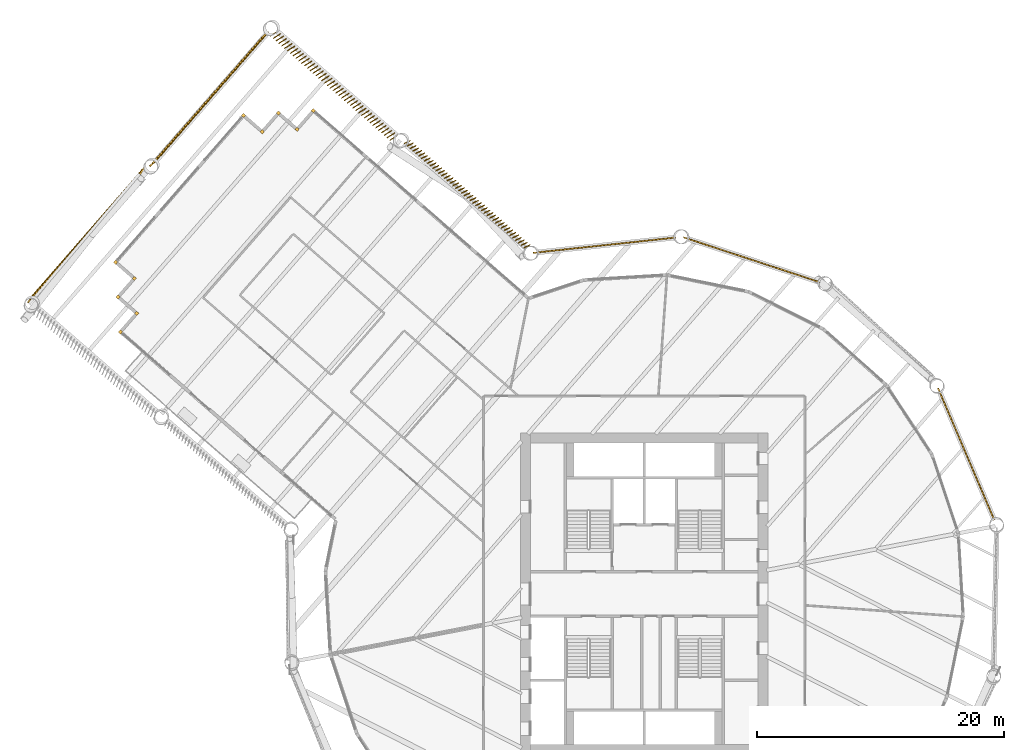
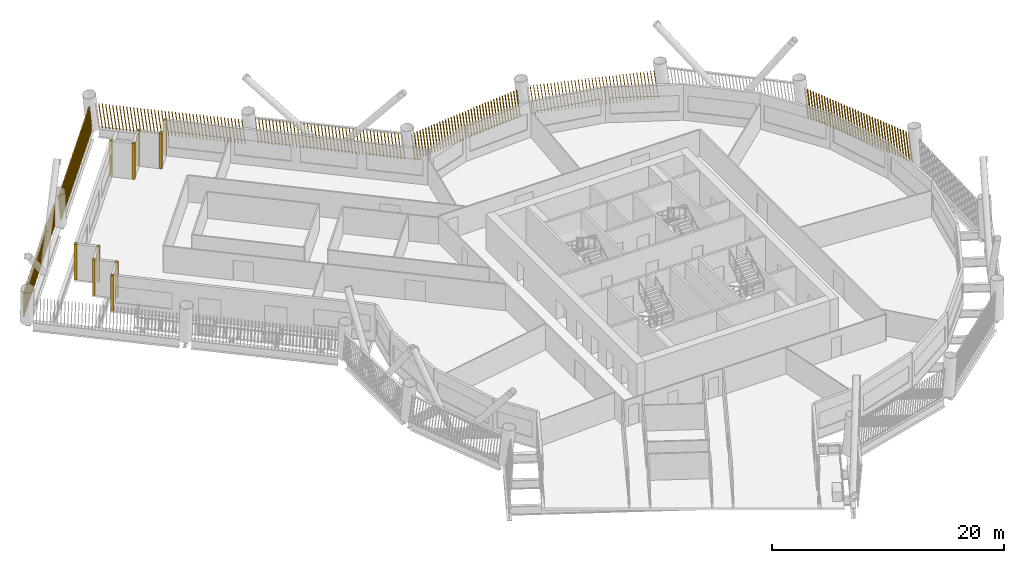
# One storey, part 19 of 21: 17 shading devices.
"""IFC4 building model written with IfcOpenShell, lengths in metres."""

from ifc_helpers import new_model, si_unit, direction, frame, frame_2d, origin, origin_2d, place, context, subcontext, project, spatial, rectangle, composite_profile, extrude, material, type_object, element, save


model = new_model("IFC4")

# Units and contexts
model_context = context("Model", 3, precision=1e-05, world=origin(), true_north=direction((0.0, 1.0)))
body_context = subcontext(model_context, "Body", "Model", "MODEL_VIEW")
ifc_project = project(units=[si_unit("LENGTHUNIT", "METRE"), si_unit("AREAUNIT", "SQUARE_METRE"), si_unit("VOLUMEUNIT", "CUBIC_METRE"), si_unit("PLANEANGLEUNIT", "RADIAN"), si_unit("MASSUNIT", "GRAM", prefix="KILO")], contexts=[model_context])

# Site, building, storey
site_placement = place(None, origin())
site = spatial("IfcSite", under=ifc_project, at=site_placement, CompositionType="ELEMENT")
building_placement = place(site_placement, origin())
building = spatial("IfcBuilding", under=site, at=building_placement, Name="Tarsis Ring Headquarters", CompositionType="ELEMENT")
storey_placement = place(building_placement, frame((0.0, 0.0, 100.60009765625)))
storey = spatial("IfcBuildingStorey", under=building, at=storey_placement, Name="L22", CompositionType="ELEMENT", Elevation=100.60009765625)

# Shading devices
ifc_material = material(Name="Terracotta baguette", Category="masonry")
shading_device_type_1 = type_object("IfcShadingDeviceType", Name="Terracotta baguette screen", PredefinedType="USERDEFINED", material=ifc_material)
shading_device_1_placement = place(storey_placement, frame((28.326416015625, 5.962890625, 0.0), z_axis=(0.0, 0.0, 1.0), x_axis=(-0.392199843736, 0.919871516625, 0.0)))
element("IfcShadingDevice", 1, at=shading_device_1_placement, inside=storey, type_object=shading_device_type_1, Name="Baguette screen L22-11", ObjectType="Terracotta baguette screen", PredefinedType="USERDEFINED", context=body_context, shape_type="SweptSolid", body=[
    extrude(composite_profile([rectangle(XDim=0.06005859375, YDim=0.1201171875, at=frame_2d((0.030029296875, 0.0))), rectangle(XDim=0.06005859375, YDim=0.1201171875, at=frame_2d((0.33251953125, 0.0))), rectangle(XDim=0.06005859375, YDim=0.1201171875, at=frame_2d((0.634765625, 0.0))), rectangle(XDim=0.06005859375, YDim=0.1201171875, at=frame_2d((0.937255859375, 0.0))), rectangle(XDim=0.06005859375, YDim=0.1201171875, at=frame_2d((1.239501953125, 0.0))), rectangle(XDim=0.06005859375, YDim=0.1201171875, at=frame_2d((1.5419921875, 0.0))), rectangle(XDim=0.06005859375, YDim=0.1201171875, at=frame_2d((1.844482421875, 0.0))), rectangle(XDim=0.06005859375, YDim=0.1201171875, at=frame_2d((2.146728515625, 0.0))), rectangle(XDim=0.06005859375, YDim=0.1201171875, at=frame_2d((2.44921875, 0.0))), rectangle(XDim=0.06005859375, YDim=0.1201171875, at=frame_2d((2.751708984375, 0.0))), rectangle(XDim=0.06005859375, YDim=0.1201171875, at=frame_2d((3.053955078125, 0.0))), rectangle(XDim=0.06005859375, YDim=0.1201171875, at=frame_2d((3.3564453125, 0.0))), rectangle(XDim=0.06005859375, YDim=0.1201171875, at=frame_2d((3.65869140625, 0.0))), rectangle(XDim=0.06005859375, YDim=0.1201171875, at=frame_2d((3.961181640625, 0.0))), rectangle(XDim=0.06005859375, YDim=0.1201171875, at=frame_2d((4.263671875, 0.0))), rectangle(XDim=0.06005859375, YDim=0.1201171875, at=frame_2d((4.56591796875, 0.0))), rectangle(XDim=0.06005859375, YDim=0.1201171875, at=frame_2d((4.868408203125, 0.0))), rectangle(XDim=0.06005859375, YDim=0.1201171875, at=frame_2d((5.1708984375, 0.0))), rectangle(XDim=0.06005859375, YDim=0.1201171875, at=frame_2d((5.47314453125, 0.0))), rectangle(XDim=0.06005859375, YDim=0.1201171875, at=frame_2d((5.775634765625, 0.0))), rectangle(XDim=0.06005859375, YDim=0.1201171875, at=frame_2d((6.077880859375, 0.0))), rectangle(XDim=0.06005859375, YDim=0.1201171875, at=frame_2d((6.38037109375, 0.0))), rectangle(XDim=0.06005859375, YDim=0.1201171875, at=frame_2d((6.682861328125, 0.0))), rectangle(XDim=0.06005859375, YDim=0.1201171875, at=frame_2d((6.985107421875, 0.0))), rectangle(XDim=0.06005859375, YDim=0.1201171875, at=frame_2d((7.28759765625, 0.0))), rectangle(XDim=0.06005859375, YDim=0.1201171875, at=frame_2d((7.590087890625, 0.0))), rectangle(XDim=0.06005859375, YDim=0.1201171875, at=frame_2d((7.892333984375, 0.0))), rectangle(XDim=0.06005859375, YDim=0.1201171875, at=frame_2d((8.19482421875, 0.0))), rectangle(XDim=0.06005859375, YDim=0.1201171875, at=frame_2d((8.4970703125, 0.0))), rectangle(XDim=0.06005859375, YDim=0.1201171875, at=frame_2d((8.799560546875, 0.0))), rectangle(XDim=0.06005859375, YDim=0.1201171875, at=frame_2d((9.10205078125, 0.0))), rectangle(XDim=0.06005859375, YDim=0.1201171875, at=frame_2d((9.404296875, 0.0))), rectangle(XDim=0.06005859375, YDim=0.1201171875, at=frame_2d((9.706787109375, 0.0))), rectangle(XDim=0.06005859375, YDim=0.1201171875, at=frame_2d((10.00927734375, 0.0))), rectangle(XDim=0.06005859375, YDim=0.1201171875, at=frame_2d((10.3115234375, 0.0))), rectangle(XDim=0.06005859375, YDim=0.1201171875, at=frame_2d((10.614013671875, 0.0))), rectangle(XDim=0.06005859375, YDim=0.1201171875, at=frame_2d((10.916259765625, 0.0))), rectangle(XDim=0.06005859375, YDim=0.1201171875, at=frame_2d((11.21875, 0.0)))]), origin(), (0.129819680879, 0.000882714692, 0.991537226367), 2.9775390625),
])
shading_device_2_placement = place(storey_placement, frame((14.222412109375, 25.21240234375, 0.0), z_axis=(0.0, 0.0, 1.0), x_axis=(-0.949842647857, 0.312729245795, 0.0)))
element("IfcShadingDevice", 2, at=shading_device_2_placement, inside=storey, type_object=shading_device_type_1, Name="Baguette screen L22-13", ObjectType="Terracotta baguette screen", PredefinedType="USERDEFINED", context=body_context, shape_type="SweptSolid", body=[
    extrude(composite_profile([rectangle(XDim=0.06005859375, YDim=0.1201171875, at=frame_2d((0.030029296875, 0.0))), rectangle(XDim=0.06005859375, YDim=0.1201171875, at=frame_2d((0.33251953125, 0.0))), rectangle(XDim=0.06005859375, YDim=0.1201171875, at=frame_2d((0.634765625, 0.0))), rectangle(XDim=0.06005859375, YDim=0.1201171875, at=frame_2d((0.937255859375, 0.0))), rectangle(XDim=0.06005859375, YDim=0.1201171875, at=frame_2d((1.239501953125, 0.0))), rectangle(XDim=0.06005859375, YDim=0.1201171875, at=frame_2d((1.5419921875, 0.0))), rectangle(XDim=0.06005859375, YDim=0.1201171875, at=frame_2d((1.844482421875, 0.0))), rectangle(XDim=0.06005859375, YDim=0.1201171875, at=frame_2d((2.146728515625, 0.0))), rectangle(XDim=0.06005859375, YDim=0.1201171875, at=frame_2d((2.44921875, 0.0))), rectangle(XDim=0.06005859375, YDim=0.1201171875, at=frame_2d((2.751708984375, 0.0))), rectangle(XDim=0.06005859375, YDim=0.1201171875, at=frame_2d((3.053955078125, 0.0))), rectangle(XDim=0.06005859375, YDim=0.1201171875, at=frame_2d((3.3564453125, 0.0))), rectangle(XDim=0.06005859375, YDim=0.1201171875, at=frame_2d((3.65869140625, 0.0))), rectangle(XDim=0.06005859375, YDim=0.1201171875, at=frame_2d((3.961181640625, 0.0))), rectangle(XDim=0.06005859375, YDim=0.1201171875, at=frame_2d((4.263671875, 0.0))), rectangle(XDim=0.06005859375, YDim=0.1201171875, at=frame_2d((4.56591796875, 0.0))), rectangle(XDim=0.06005859375, YDim=0.1201171875, at=frame_2d((4.868408203125, 0.0))), rectangle(XDim=0.06005859375, YDim=0.1201171875, at=frame_2d((5.1708984375, 0.0))), rectangle(XDim=0.06005859375, YDim=0.1201171875, at=frame_2d((5.47314453125, 0.0))), rectangle(XDim=0.06005859375, YDim=0.1201171875, at=frame_2d((5.775634765625, 0.0))), rectangle(XDim=0.06005859375, YDim=0.1201171875, at=frame_2d((6.077880859375, 0.0))), rectangle(XDim=0.06005859375, YDim=0.1201171875, at=frame_2d((6.38037109375, 0.0))), rectangle(XDim=0.06005859375, YDim=0.1201171875, at=frame_2d((6.682861328125, 0.0))), rectangle(XDim=0.06005859375, YDim=0.1201171875, at=frame_2d((6.985107421875, 0.0))), rectangle(XDim=0.06005859375, YDim=0.1201171875, at=frame_2d((7.28759765625, 0.0))), rectangle(XDim=0.06005859375, YDim=0.1201171875, at=frame_2d((7.590087890625, 0.0))), rectangle(XDim=0.06005859375, YDim=0.1201171875, at=frame_2d((7.892333984375, 0.0))), rectangle(XDim=0.06005859375, YDim=0.1201171875, at=frame_2d((8.19482421875, 0.0))), rectangle(XDim=0.06005859375, YDim=0.1201171875, at=frame_2d((8.4970703125, 0.0))), rectangle(XDim=0.06005859375, YDim=0.1201171875, at=frame_2d((8.799560546875, 0.0))), rectangle(XDim=0.06005859375, YDim=0.1201171875, at=frame_2d((9.10205078125, 0.0))), rectangle(XDim=0.06005859375, YDim=0.1201171875, at=frame_2d((9.404296875, 0.0))), rectangle(XDim=0.06005859375, YDim=0.1201171875, at=frame_2d((9.706787109375, 0.0))), rectangle(XDim=0.06005859375, YDim=0.1201171875, at=frame_2d((10.00927734375, 0.0))), rectangle(XDim=0.06005859375, YDim=0.1201171875, at=frame_2d((10.3115234375, 0.0))), rectangle(XDim=0.06005859375, YDim=0.1201171875, at=frame_2d((10.614013671875, 0.0))), rectangle(XDim=0.06005859375, YDim=0.1201171875, at=frame_2d((10.916259765625, 0.0))), rectangle(XDim=0.06005859375, YDim=0.1201171875, at=frame_2d((11.21875, 0.0)))]), origin(), (0.129820630587, 0.000883692508, 0.991537101152), 2.9775390625),
])
shading_device_3_placement = place(storey_placement, frame((2.565673828125, 28.833251953125, 0.0), z_axis=(0.0, 0.0, 1.0), x_axis=(-0.994313619099, -0.106587086272, 0.0)))
element("IfcShadingDevice", 3, at=shading_device_3_placement, inside=storey, type_object=shading_device_type_1, Name="Baguette screen L22-14", ObjectType="Terracotta baguette screen", PredefinedType="USERDEFINED", context=body_context, shape_type="SweptSolid", body=[
    extrude(composite_profile([rectangle(XDim=0.06005859375, YDim=0.1201171875, at=frame_2d((0.030029296875, 0.0))), rectangle(XDim=0.06005859375, YDim=0.1201171875, at=frame_2d((0.33251953125, 0.0))), rectangle(XDim=0.06005859375, YDim=0.1201171875, at=frame_2d((0.634765625, 0.0))), rectangle(XDim=0.06005859375, YDim=0.1201171875, at=frame_2d((0.937255859375, 0.0))), rectangle(XDim=0.06005859375, YDim=0.1201171875, at=frame_2d((1.239501953125, 0.0))), rectangle(XDim=0.06005859375, YDim=0.1201171875, at=frame_2d((1.5419921875, 0.0))), rectangle(XDim=0.06005859375, YDim=0.1201171875, at=frame_2d((1.844482421875, 0.0))), rectangle(XDim=0.06005859375, YDim=0.1201171875, at=frame_2d((2.146728515625, 0.0))), rectangle(XDim=0.06005859375, YDim=0.1201171875, at=frame_2d((2.44921875, 0.0))), rectangle(XDim=0.06005859375, YDim=0.1201171875, at=frame_2d((2.751708984375, 0.0))), rectangle(XDim=0.06005859375, YDim=0.1201171875, at=frame_2d((3.053955078125, 0.0))), rectangle(XDim=0.06005859375, YDim=0.1201171875, at=frame_2d((3.3564453125, 0.0))), rectangle(XDim=0.06005859375, YDim=0.1201171875, at=frame_2d((3.65869140625, 0.0))), rectangle(XDim=0.06005859375, YDim=0.1201171875, at=frame_2d((3.961181640625, 0.0))), rectangle(XDim=0.06005859375, YDim=0.1201171875, at=frame_2d((4.263671875, 0.0))), rectangle(XDim=0.06005859375, YDim=0.1201171875, at=frame_2d((4.56591796875, 0.0))), rectangle(XDim=0.06005859375, YDim=0.1201171875, at=frame_2d((4.868408203125, 0.0))), rectangle(XDim=0.06005859375, YDim=0.1201171875, at=frame_2d((5.1708984375, 0.0))), rectangle(XDim=0.06005859375, YDim=0.1201171875, at=frame_2d((5.47314453125, 0.0))), rectangle(XDim=0.06005859375, YDim=0.1201171875, at=frame_2d((5.775634765625, 0.0))), rectangle(XDim=0.06005859375, YDim=0.1201171875, at=frame_2d((6.077880859375, 0.0))), rectangle(XDim=0.06005859375, YDim=0.1201171875, at=frame_2d((6.38037109375, 0.0))), rectangle(XDim=0.06005859375, YDim=0.1201171875, at=frame_2d((6.682861328125, 0.0))), rectangle(XDim=0.06005859375, YDim=0.1201171875, at=frame_2d((6.985107421875, 0.0))), rectangle(XDim=0.06005859375, YDim=0.1201171875, at=frame_2d((7.28759765625, 0.0))), rectangle(XDim=0.06005859375, YDim=0.1201171875, at=frame_2d((7.590087890625, 0.0))), rectangle(XDim=0.06005859375, YDim=0.1201171875, at=frame_2d((7.892333984375, 0.0))), rectangle(XDim=0.06005859375, YDim=0.1201171875, at=frame_2d((8.19482421875, 0.0))), rectangle(XDim=0.06005859375, YDim=0.1201171875, at=frame_2d((8.4970703125, 0.0))), rectangle(XDim=0.06005859375, YDim=0.1201171875, at=frame_2d((8.799560546875, 0.0))), rectangle(XDim=0.06005859375, YDim=0.1201171875, at=frame_2d((9.10205078125, 0.0))), rectangle(XDim=0.06005859375, YDim=0.1201171875, at=frame_2d((9.404296875, 0.0))), rectangle(XDim=0.06005859375, YDim=0.1201171875, at=frame_2d((9.706787109375, 0.0))), rectangle(XDim=0.06005859375, YDim=0.1201171875, at=frame_2d((10.00927734375, 0.0))), rectangle(XDim=0.06005859375, YDim=0.1201171875, at=frame_2d((10.3115234375, 0.0))), rectangle(XDim=0.06005859375, YDim=0.1201171875, at=frame_2d((10.614013671875, 0.0))), rectangle(XDim=0.06005859375, YDim=0.1201171875, at=frame_2d((10.916259765625, 0.0))), rectangle(XDim=0.06005859375, YDim=0.1201171875, at=frame_2d((11.21875, 0.0)))]), origin(), (0.129821867893, 0.000884246781, 0.991536938659), 2.9775390625),
])
shading_device_4_placement = place(storey_placement, frame((-9.24658203125, 28.192138671875, 0.0), z_axis=(0.0, 0.0, 1.0), x_axis=(-0.753784438389, 0.657110959734, 0.0)))
element("IfcShadingDevice", 4, at=shading_device_4_placement, inside=storey, type_object=shading_device_type_1, Name="Baguette screen L22-15", ObjectType="Terracotta baguette screen", PredefinedType="USERDEFINED", context=body_context, shape_type="SweptSolid", body=[
    extrude(composite_profile([rectangle(XDim=0.06005859375, YDim=0.1201171875, at=frame_2d((0.030029296875, 0.0))), rectangle(XDim=0.06005859375, YDim=0.1201171875, at=frame_2d((0.335693359375, 0.0))), rectangle(XDim=0.06005859375, YDim=0.1201171875, at=frame_2d((0.6416015625, 0.0))), rectangle(XDim=0.06005859375, YDim=0.1201171875, at=frame_2d((0.947265625, 0.0))), rectangle(XDim=0.06005859375, YDim=0.1201171875, at=frame_2d((1.253173828125, 0.0))), rectangle(XDim=0.06005859375, YDim=0.1201171875, at=frame_2d((1.558837890625, 0.0))), rectangle(XDim=0.06005859375, YDim=0.1201171875, at=frame_2d((1.864501953125, 0.0))), rectangle(XDim=0.06005859375, YDim=0.1201171875, at=frame_2d((2.17041015625, 0.0))), rectangle(XDim=0.06005859375, YDim=0.1201171875, at=frame_2d((2.47607421875, 0.0))), rectangle(XDim=0.06005859375, YDim=0.1201171875, at=frame_2d((2.781982421875, 0.0))), rectangle(XDim=0.06005859375, YDim=0.1201171875, at=frame_2d((3.087646484375, 0.0))), rectangle(XDim=0.06005859375, YDim=0.1201171875, at=frame_2d((3.393310546875, 0.0))), rectangle(XDim=0.06005859375, YDim=0.1201171875, at=frame_2d((3.69921875, 0.0))), rectangle(XDim=0.06005859375, YDim=0.1201171875, at=frame_2d((4.0048828125, 0.0))), rectangle(XDim=0.06005859375, YDim=0.1201171875, at=frame_2d((4.310791015625, 0.0))), rectangle(XDim=0.06005859375, YDim=0.1201171875, at=frame_2d((4.616455078125, 0.0))), rectangle(XDim=0.06005859375, YDim=0.1201171875, at=frame_2d((4.922119140625, 0.0))), rectangle(XDim=0.06005859375, YDim=0.1201171875, at=frame_2d((5.22802734375, 0.0))), rectangle(XDim=0.06005859375, YDim=0.1201171875, at=frame_2d((5.53369140625, 0.0))), rectangle(XDim=0.06005859375, YDim=0.1201171875, at=frame_2d((5.839599609375, 0.0))), rectangle(XDim=0.06005859375, YDim=0.1201171875, at=frame_2d((6.145263671875, 0.0))), rectangle(XDim=0.06005859375, YDim=0.1201171875, at=frame_2d((6.451171875, 0.0))), rectangle(XDim=0.06005859375, YDim=0.1201171875, at=frame_2d((6.7568359375, 0.0))), rectangle(XDim=0.06005859375, YDim=0.1201171875, at=frame_2d((7.0625, 0.0))), rectangle(XDim=0.06005859375, YDim=0.1201171875, at=frame_2d((7.368408203125, 0.0))), rectangle(XDim=0.06005859375, YDim=0.1201171875, at=frame_2d((7.674072265625, 0.0))), rectangle(XDim=0.06005859375, YDim=0.1201171875, at=frame_2d((7.97998046875, 0.0))), rectangle(XDim=0.06005859375, YDim=0.1201171875, at=frame_2d((8.28564453125, 0.0))), rectangle(XDim=0.06005859375, YDim=0.1201171875, at=frame_2d((8.59130859375, 0.0))), rectangle(XDim=0.06005859375, YDim=0.1201171875, at=frame_2d((8.897216796875, 0.0))), rectangle(XDim=0.06005859375, YDim=0.1201171875, at=frame_2d((9.202880859375, 0.0))), rectangle(XDim=0.06005859375, YDim=0.1201171875, at=frame_2d((9.5087890625, 0.0))), rectangle(XDim=0.06005859375, YDim=0.1201171875, at=frame_2d((9.814453125, 0.0))), rectangle(XDim=0.06005859375, YDim=0.1201171875, at=frame_2d((10.1201171875, 0.0))), rectangle(XDim=0.06005859375, YDim=0.1201171875, at=frame_2d((10.426025390625, 0.0))), rectangle(XDim=0.06005859375, YDim=0.1201171875, at=frame_2d((10.731689453125, 0.0))), rectangle(XDim=0.06005859375, YDim=0.1201171875, at=frame_2d((11.03759765625, 0.0))), rectangle(XDim=0.06005859375, YDim=0.1201171875, at=frame_2d((11.34326171875, 0.0))), rectangle(XDim=0.06005859375, YDim=0.1201171875, at=frame_2d((11.64892578125, 0.0))), rectangle(XDim=0.06005859375, YDim=0.1201171875, at=frame_2d((11.954833984375, 0.0))), rectangle(XDim=0.06005859375, YDim=0.1201171875, at=frame_2d((12.260498046875, 0.0))), rectangle(XDim=0.06005859375, YDim=0.1201171875, at=frame_2d((12.56640625, 0.0))), rectangle(XDim=0.06005859375, YDim=0.1201171875, at=frame_2d((12.8720703125, 0.0)))]), origin(), (0.068067062152, 0.14585128717, 0.986962145718), 2.991455078125),
])
shading_device_5_placement = place(storey_placement, frame((-19.972412109375, 37.044921875, 0.0), z_axis=(0.0, 0.0, 1.0), x_axis=(-0.753784438389, 0.657110959734, 0.0)))
element("IfcShadingDevice", 5, at=shading_device_5_placement, inside=storey, type_object=shading_device_type_1, Name="Baguette screen L22-16", ObjectType="Terracotta baguette screen", PredefinedType="USERDEFINED", context=body_context, shape_type="SweptSolid", body=[
    extrude(composite_profile([rectangle(XDim=0.06005859375, YDim=0.1201171875, at=frame_2d((0.030029296875, 0.0))), rectangle(XDim=0.06005859375, YDim=0.1201171875, at=frame_2d((0.335693359375, 0.0))), rectangle(XDim=0.06005859375, YDim=0.1201171875, at=frame_2d((0.6416015625, 0.0))), rectangle(XDim=0.06005859375, YDim=0.1201171875, at=frame_2d((0.947265625, 0.0))), rectangle(XDim=0.06005859375, YDim=0.1201171875, at=frame_2d((1.253173828125, 0.0))), rectangle(XDim=0.06005859375, YDim=0.1201171875, at=frame_2d((1.558837890625, 0.0))), rectangle(XDim=0.06005859375, YDim=0.1201171875, at=frame_2d((1.864501953125, 0.0))), rectangle(XDim=0.06005859375, YDim=0.1201171875, at=frame_2d((2.17041015625, 0.0))), rectangle(XDim=0.06005859375, YDim=0.1201171875, at=frame_2d((2.47607421875, 0.0))), rectangle(XDim=0.06005859375, YDim=0.1201171875, at=frame_2d((2.781982421875, 0.0))), rectangle(XDim=0.06005859375, YDim=0.1201171875, at=frame_2d((3.087646484375, 0.0))), rectangle(XDim=0.06005859375, YDim=0.1201171875, at=frame_2d((3.393310546875, 0.0))), rectangle(XDim=0.06005859375, YDim=0.1201171875, at=frame_2d((3.69921875, 0.0))), rectangle(XDim=0.06005859375, YDim=0.1201171875, at=frame_2d((4.0048828125, 0.0))), rectangle(XDim=0.06005859375, YDim=0.1201171875, at=frame_2d((4.310791015625, 0.0))), rectangle(XDim=0.06005859375, YDim=0.1201171875, at=frame_2d((4.616455078125, 0.0))), rectangle(XDim=0.06005859375, YDim=0.1201171875, at=frame_2d((4.922119140625, 0.0))), rectangle(XDim=0.06005859375, YDim=0.1201171875, at=frame_2d((5.22802734375, 0.0))), rectangle(XDim=0.06005859375, YDim=0.1201171875, at=frame_2d((5.53369140625, 0.0))), rectangle(XDim=0.06005859375, YDim=0.1201171875, at=frame_2d((5.839599609375, 0.0))), rectangle(XDim=0.06005859375, YDim=0.1201171875, at=frame_2d((6.145263671875, 0.0))), rectangle(XDim=0.06005859375, YDim=0.1201171875, at=frame_2d((6.451171875, 0.0))), rectangle(XDim=0.06005859375, YDim=0.1201171875, at=frame_2d((6.7568359375, 0.0))), rectangle(XDim=0.06005859375, YDim=0.1201171875, at=frame_2d((7.0625, 0.0))), rectangle(XDim=0.06005859375, YDim=0.1201171875, at=frame_2d((7.368408203125, 0.0))), rectangle(XDim=0.06005859375, YDim=0.1201171875, at=frame_2d((7.674072265625, 0.0))), rectangle(XDim=0.06005859375, YDim=0.1201171875, at=frame_2d((7.97998046875, 0.0))), rectangle(XDim=0.06005859375, YDim=0.1201171875, at=frame_2d((8.28564453125, 0.0))), rectangle(XDim=0.06005859375, YDim=0.1201171875, at=frame_2d((8.59130859375, 0.0))), rectangle(XDim=0.06005859375, YDim=0.1201171875, at=frame_2d((8.897216796875, 0.0))), rectangle(XDim=0.06005859375, YDim=0.1201171875, at=frame_2d((9.202880859375, 0.0))), rectangle(XDim=0.06005859375, YDim=0.1201171875, at=frame_2d((9.5087890625, 0.0))), rectangle(XDim=0.06005859375, YDim=0.1201171875, at=frame_2d((9.814453125, 0.0))), rectangle(XDim=0.06005859375, YDim=0.1201171875, at=frame_2d((10.1201171875, 0.0))), rectangle(XDim=0.06005859375, YDim=0.1201171875, at=frame_2d((10.426025390625, 0.0))), rectangle(XDim=0.06005859375, YDim=0.1201171875, at=frame_2d((10.731689453125, 0.0))), rectangle(XDim=0.06005859375, YDim=0.1201171875, at=frame_2d((11.03759765625, 0.0))), rectangle(XDim=0.06005859375, YDim=0.1201171875, at=frame_2d((11.34326171875, 0.0))), rectangle(XDim=0.06005859375, YDim=0.1201171875, at=frame_2d((11.64892578125, 0.0))), rectangle(XDim=0.06005859375, YDim=0.1201171875, at=frame_2d((11.954833984375, 0.0))), rectangle(XDim=0.06005859375, YDim=0.1201171875, at=frame_2d((12.260498046875, 0.0))), rectangle(XDim=0.06005859375, YDim=0.1201171875, at=frame_2d((12.56640625, 0.0))), rectangle(XDim=0.06005859375, YDim=0.1201171875, at=frame_2d((12.8720703125, 0.0)))]), origin(), (0.065211042233, 0.206825373852, 0.976202225311), 3.0244140625),
])
shading_device_6_placement = place(storey_placement, frame((-30.403564453125, 45.474853515625, 0.0), z_axis=(0.0, 0.0, 1.0), x_axis=(-0.657107474569, -0.753790358249, 0.0)))
element("IfcShadingDevice", 6, at=shading_device_6_placement, inside=storey, type_object=shading_device_type_1, Name="Baguette screen L22-17", ObjectType="Terracotta baguette screen", PredefinedType="USERDEFINED", context=body_context, shape_type="SweptSolid", body=[
    extrude(composite_profile([rectangle(XDim=0.06005859375, YDim=0.1201171875, at=frame_2d((0.030029296875, 0.0))), rectangle(XDim=0.06005859375, YDim=0.1201171875, at=frame_2d((0.33544921875, 0.0))), rectangle(XDim=0.06005859375, YDim=0.1201171875, at=frame_2d((0.640625, 0.0))), rectangle(XDim=0.06005859375, YDim=0.1201171875, at=frame_2d((0.946044921875, 0.0))), rectangle(XDim=0.06005859375, YDim=0.1201171875, at=frame_2d((1.25146484375, 0.0))), rectangle(XDim=0.06005859375, YDim=0.1201171875, at=frame_2d((1.556640625, 0.0))), rectangle(XDim=0.06005859375, YDim=0.1201171875, at=frame_2d((1.862060546875, 0.0))), rectangle(XDim=0.06005859375, YDim=0.1201171875, at=frame_2d((2.16748046875, 0.0))), rectangle(XDim=0.06005859375, YDim=0.1201171875, at=frame_2d((2.47265625, 0.0))), rectangle(XDim=0.06005859375, YDim=0.1201171875, at=frame_2d((2.778076171875, 0.0))), rectangle(XDim=0.06005859375, YDim=0.1201171875, at=frame_2d((3.08349609375, 0.0))), rectangle(XDim=0.06005859375, YDim=0.1201171875, at=frame_2d((3.388671875, 0.0))), rectangle(XDim=0.06005859375, YDim=0.1201171875, at=frame_2d((3.694091796875, 0.0))), rectangle(XDim=0.06005859375, YDim=0.1201171875, at=frame_2d((3.99951171875, 0.0))), rectangle(XDim=0.06005859375, YDim=0.1201171875, at=frame_2d((4.3046875, 0.0))), rectangle(XDim=0.06005859375, YDim=0.1201171875, at=frame_2d((4.610107421875, 0.0))), rectangle(XDim=0.06005859375, YDim=0.1201171875, at=frame_2d((4.91552734375, 0.0))), rectangle(XDim=0.06005859375, YDim=0.1201171875, at=frame_2d((5.220703125, 0.0))), rectangle(XDim=0.06005859375, YDim=0.1201171875, at=frame_2d((5.526123046875, 0.0))), rectangle(XDim=0.06005859375, YDim=0.1201171875, at=frame_2d((5.83154296875, 0.0))), rectangle(XDim=0.06005859375, YDim=0.1201171875, at=frame_2d((6.13671875, 0.0))), rectangle(XDim=0.06005859375, YDim=0.1201171875, at=frame_2d((6.442138671875, 0.0))), rectangle(XDim=0.06005859375, YDim=0.1201171875, at=frame_2d((6.74755859375, 0.0))), rectangle(XDim=0.06005859375, YDim=0.1201171875, at=frame_2d((7.052734375, 0.0))), rectangle(XDim=0.06005859375, YDim=0.1201171875, at=frame_2d((7.358154296875, 0.0))), rectangle(XDim=0.06005859375, YDim=0.1201171875, at=frame_2d((7.66357421875, 0.0))), rectangle(XDim=0.06005859375, YDim=0.1201171875, at=frame_2d((7.96875, 0.0))), rectangle(XDim=0.06005859375, YDim=0.1201171875, at=frame_2d((8.274169921875, 0.0))), rectangle(XDim=0.06005859375, YDim=0.1201171875, at=frame_2d((8.57958984375, 0.0))), rectangle(XDim=0.06005859375, YDim=0.1201171875, at=frame_2d((8.884765625, 0.0))), rectangle(XDim=0.06005859375, YDim=0.1201171875, at=frame_2d((9.190185546875, 0.0))), rectangle(XDim=0.06005859375, YDim=0.1201171875, at=frame_2d((9.49560546875, 0.0))), rectangle(XDim=0.06005859375, YDim=0.1201171875, at=frame_2d((9.80078125, 0.0))), rectangle(XDim=0.06005859375, YDim=0.1201171875, at=frame_2d((10.106201171875, 0.0))), rectangle(XDim=0.06005859375, YDim=0.1201171875, at=frame_2d((10.41162109375, 0.0))), rectangle(XDim=0.06005859375, YDim=0.1201171875, at=frame_2d((10.716796875, 0.0))), rectangle(XDim=0.06005859375, YDim=0.1201171875, at=frame_2d((11.022216796875, 0.0))), rectangle(XDim=0.06005859375, YDim=0.1201171875, at=frame_2d((11.32763671875, 0.0))), rectangle(XDim=0.06005859375, YDim=0.1201171875, at=frame_2d((11.6328125, 0.0))), rectangle(XDim=0.06005859375, YDim=0.1201171875, at=frame_2d((11.938232421875, 0.0))), rectangle(XDim=0.06005859375, YDim=0.1201171875, at=frame_2d((12.24365234375, 0.0))), rectangle(XDim=0.06005859375, YDim=0.1201171875, at=frame_2d((12.548828125, 0.0))), rectangle(XDim=0.06005859375, YDim=0.1201171875, at=frame_2d((12.854248046875, 0.0))), rectangle(XDim=0.06005859375, YDim=0.1201171875, at=frame_2d((13.15966796875, 0.0))), rectangle(XDim=0.06005859375, YDim=0.1201171875, at=frame_2d((13.46484375, 0.0))), rectangle(XDim=0.06005859375, YDim=0.1201171875, at=frame_2d((13.770263671875, 0.0)))]), origin(), (0.236639664982, -0.031524823293, 0.971085915083), 3.040283203125),
])
shading_device_7_placement = place(storey_placement, frame((-40.411376953125, 34.56494140625, 0.0), z_axis=(0.0, 0.0, 1.0), x_axis=(-0.657125165856, -0.753790358249, 0.0)))
element("IfcShadingDevice", 7, at=shading_device_7_placement, inside=storey, type_object=shading_device_type_1, Name="Baguette screen L22-18", ObjectType="Terracotta baguette screen", PredefinedType="USERDEFINED", context=body_context, shape_type="SweptSolid", body=[
    extrude(composite_profile([rectangle(XDim=0.06005859375, YDim=0.1201171875, at=frame_2d((0.030029296875, 0.0))), rectangle(XDim=0.06005859375, YDim=0.1201171875, at=frame_2d((0.33544921875, 0.0))), rectangle(XDim=0.06005859375, YDim=0.1201171875, at=frame_2d((0.640625, 0.0))), rectangle(XDim=0.06005859375, YDim=0.1201171875, at=frame_2d((0.946044921875, 0.0))), rectangle(XDim=0.06005859375, YDim=0.1201171875, at=frame_2d((1.25146484375, 0.0))), rectangle(XDim=0.06005859375, YDim=0.1201171875, at=frame_2d((1.556640625, 0.0))), rectangle(XDim=0.06005859375, YDim=0.1201171875, at=frame_2d((1.862060546875, 0.0))), rectangle(XDim=0.06005859375, YDim=0.1201171875, at=frame_2d((2.16748046875, 0.0))), rectangle(XDim=0.06005859375, YDim=0.1201171875, at=frame_2d((2.47265625, 0.0))), rectangle(XDim=0.06005859375, YDim=0.1201171875, at=frame_2d((2.778076171875, 0.0))), rectangle(XDim=0.06005859375, YDim=0.1201171875, at=frame_2d((3.08349609375, 0.0))), rectangle(XDim=0.06005859375, YDim=0.1201171875, at=frame_2d((3.388671875, 0.0))), rectangle(XDim=0.06005859375, YDim=0.1201171875, at=frame_2d((3.694091796875, 0.0))), rectangle(XDim=0.06005859375, YDim=0.1201171875, at=frame_2d((3.99951171875, 0.0))), rectangle(XDim=0.06005859375, YDim=0.1201171875, at=frame_2d((4.3046875, 0.0))), rectangle(XDim=0.06005859375, YDim=0.1201171875, at=frame_2d((4.610107421875, 0.0))), rectangle(XDim=0.06005859375, YDim=0.1201171875, at=frame_2d((4.91552734375, 0.0))), rectangle(XDim=0.06005859375, YDim=0.1201171875, at=frame_2d((5.220703125, 0.0))), rectangle(XDim=0.06005859375, YDim=0.1201171875, at=frame_2d((5.526123046875, 0.0))), rectangle(XDim=0.06005859375, YDim=0.1201171875, at=frame_2d((5.83154296875, 0.0))), rectangle(XDim=0.06005859375, YDim=0.1201171875, at=frame_2d((6.13671875, 0.0))), rectangle(XDim=0.06005859375, YDim=0.1201171875, at=frame_2d((6.442138671875, 0.0))), rectangle(XDim=0.06005859375, YDim=0.1201171875, at=frame_2d((6.74755859375, 0.0))), rectangle(XDim=0.06005859375, YDim=0.1201171875, at=frame_2d((7.052734375, 0.0))), rectangle(XDim=0.06005859375, YDim=0.1201171875, at=frame_2d((7.358154296875, 0.0))), rectangle(XDim=0.06005859375, YDim=0.1201171875, at=frame_2d((7.66357421875, 0.0))), rectangle(XDim=0.06005859375, YDim=0.1201171875, at=frame_2d((7.96875, 0.0))), rectangle(XDim=0.06005859375, YDim=0.1201171875, at=frame_2d((8.274169921875, 0.0))), rectangle(XDim=0.06005859375, YDim=0.1201171875, at=frame_2d((8.57958984375, 0.0))), rectangle(XDim=0.06005859375, YDim=0.1201171875, at=frame_2d((8.884765625, 0.0))), rectangle(XDim=0.06005859375, YDim=0.1201171875, at=frame_2d((9.190185546875, 0.0))), rectangle(XDim=0.06005859375, YDim=0.1201171875, at=frame_2d((9.49560546875, 0.0))), rectangle(XDim=0.06005859375, YDim=0.1201171875, at=frame_2d((9.80078125, 0.0))), rectangle(XDim=0.06005859375, YDim=0.1201171875, at=frame_2d((10.106201171875, 0.0))), rectangle(XDim=0.06005859375, YDim=0.1201171875, at=frame_2d((10.41162109375, 0.0))), rectangle(XDim=0.06005859375, YDim=0.1201171875, at=frame_2d((10.716796875, 0.0))), rectangle(XDim=0.06005859375, YDim=0.1201171875, at=frame_2d((11.022216796875, 0.0))), rectangle(XDim=0.06005859375, YDim=0.1201171875, at=frame_2d((11.32763671875, 0.0))), rectangle(XDim=0.06005859375, YDim=0.1201171875, at=frame_2d((11.6328125, 0.0))), rectangle(XDim=0.06005859375, YDim=0.1201171875, at=frame_2d((11.938232421875, 0.0))), rectangle(XDim=0.06005859375, YDim=0.1201171875, at=frame_2d((12.24365234375, 0.0))), rectangle(XDim=0.06005859375, YDim=0.1201171875, at=frame_2d((12.548828125, 0.0))), rectangle(XDim=0.06005859375, YDim=0.1201171875, at=frame_2d((12.854248046875, 0.0))), rectangle(XDim=0.06005859375, YDim=0.1201171875, at=frame_2d((13.15966796875, 0.0))), rectangle(XDim=0.06005859375, YDim=0.1201171875, at=frame_2d((13.46484375, 0.0))), rectangle(XDim=0.06005859375, YDim=0.1201171875, at=frame_2d((13.770263671875, 0.0)))]), origin(), (0.23777529837, 0.034743633571, 0.970698607917), 3.04150390625),
])
shading_device_type_2 = type_object("IfcShadingDeviceType", Name="Terracotta corner baguette 250x250", PredefinedType="USERDEFINED", material=ifc_material)
for number, where, z_axis, x_axis, name in (
    (8, (-42.383544921875, 21.19384765625, 0.0), (0.0, 0.0, 1.0), (-0.657111978317, -0.753792974199, 0.0), "Corner baguette L22-01"),
    (9, (-26.777099609375, 39.09619140625, 0.0), (0.0, 0.0, 1.0), (-0.753792813636, 0.657112162503, 0.0), "Corner baguette L22-32"),
    (10, (-28.09130859375, 37.588623046875, 0.0), (0.0, 0.0, 1.0), (-0.657111688881, -0.753793226512, 0.0), "Corner baguette L22-33"),
    (11, (-29.598876953125, 38.90283203125, 0.0), (0.0, 0.0, 1.0), (-0.753792721886, 0.657112267753, 0.0), "Corner baguette L22-34"),
    (12, (-30.9130859375, 37.395263671875, 0.0), (0.0, 0.0, 1.0), (-0.657112267753, -0.753792721886, 0.0), "Corner baguette L22-35"),
    (13, (-32.420654296875, 38.70947265625, 0.0), (0.0, 0.0, 1.0), (-0.753792974199, 0.657111978317, 0.0), "Corner baguette L22-36"),
    (14, (-42.770263671875, 26.83740234375, 0.0), (0.0, 0.0, 1.0), (-0.65711217566, -0.753792802168, 0.0), "Corner baguette L22-37"),
    (15, (-41.2626953125, 25.523193359375, 0.0), (0.0, 0.0, 1.0), (0.753792721886, -0.657112267753, 0.0), "Corner baguette L22-38"),
    (16, (-42.576904296875, 24.015625, 0.0), (0.0, 0.0, 1.0), (-0.657111978317, -0.753792974199, 0.0), "Corner baguette L22-39"),
    (17, (-41.0693359375, 22.701416015625, 0.0), (0.0, 0.0, 1.0), (0.753793008606, -0.657111938849, 0.0), "Corner baguette L22-40"),
):
    element("IfcShadingDevice", number, at=place(storey_placement, frame(where, z_axis=z_axis, x_axis=x_axis)), inside=storey, type_object=shading_device_type_2, Name=name, ObjectType="Terracotta corner baguette", PredefinedType="USERDEFINED", context=body_context, shape_type="SweptSolid", body=[
        extrude(rectangle(XDim=0.25, YDim=0.25, at=origin_2d()), origin(), (0.0, 0.0, 1.0), 3.739990234375),
    ])

save(model, "model.ifc")
